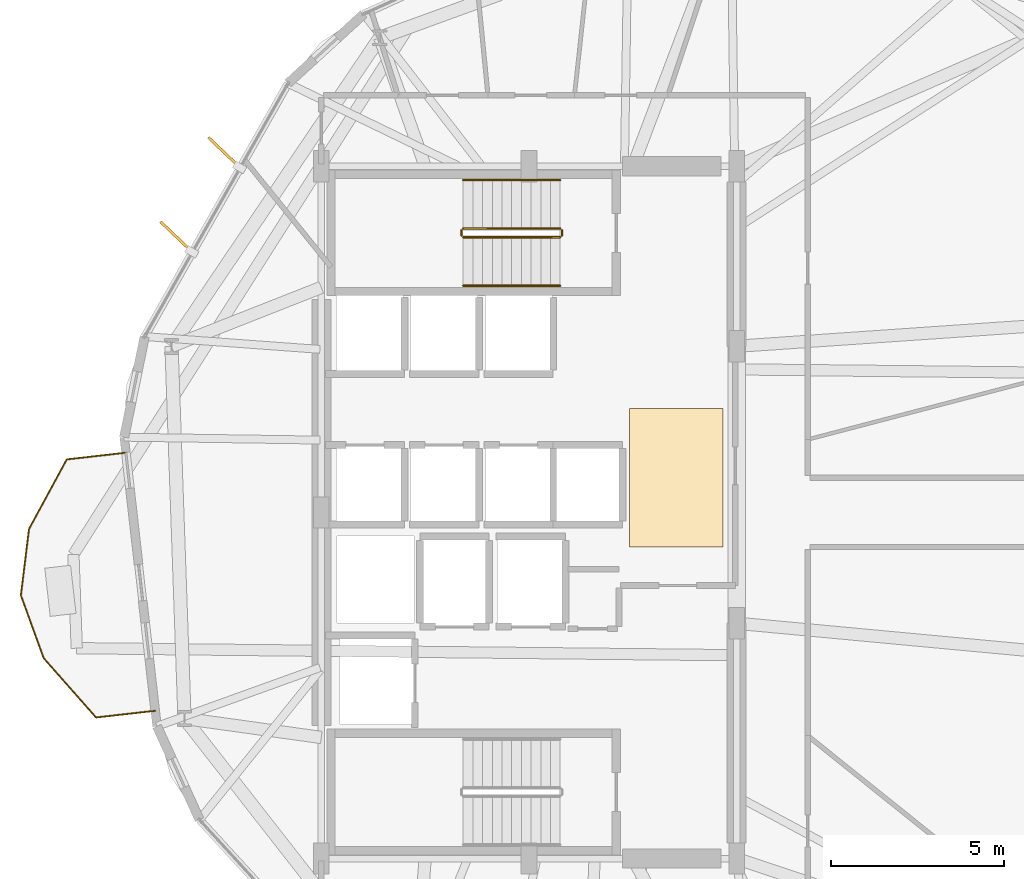
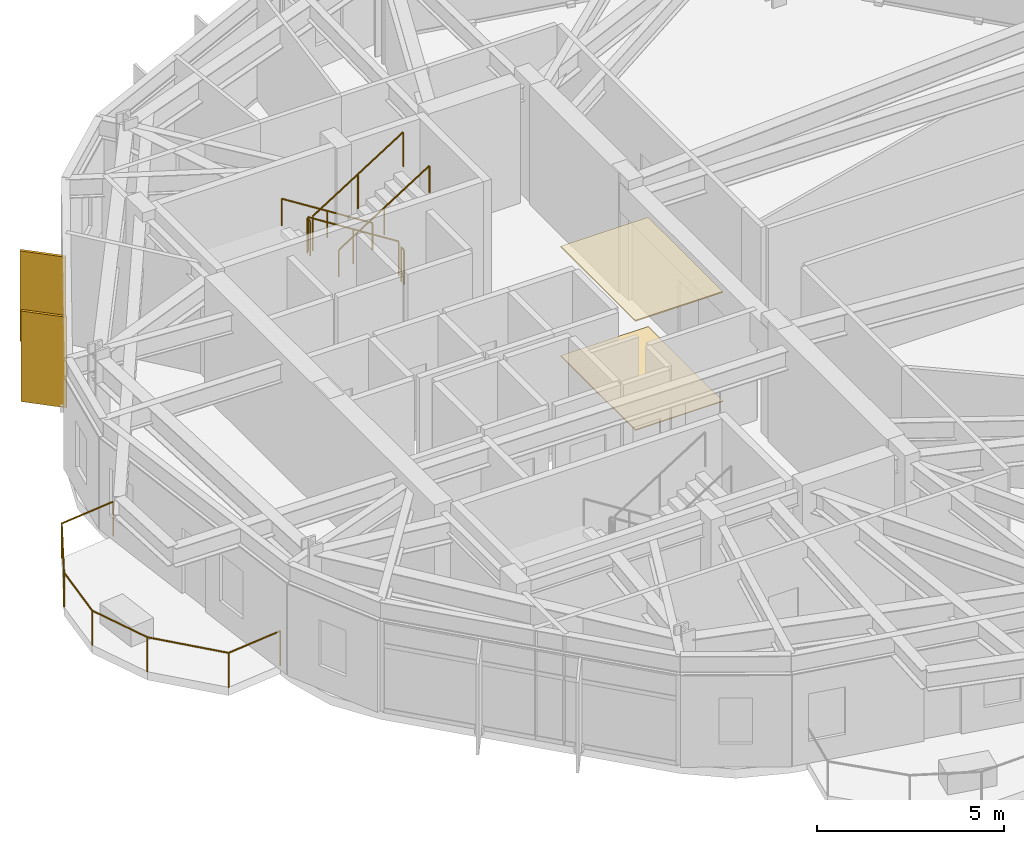
# One storey, part 22 of 23: 7 railings, 2 coverings, 2 shading devices.
"""IFC4 building model written with IfcOpenShell, lengths in metres."""

from ifc_helpers import new_model, si_unit, direction, frame, origin, origin_2d, place, context, subcontext, project, spatial, polyline, rectangle, circle, outline, extrude, material, layer, layer_set, type_object, element, save


model = new_model("IFC4")

# Units and contexts
model_context = context("Model", 3, precision=1e-05, world=origin(), true_north=direction((0.0, 1.0)))
body_context = subcontext(model_context, "Body", "Model", "MODEL_VIEW")
ifc_project = project(units=[si_unit("LENGTHUNIT", "METRE"), si_unit("AREAUNIT", "SQUARE_METRE"), si_unit("VOLUMEUNIT", "CUBIC_METRE"), si_unit("PLANEANGLEUNIT", "RADIAN"), si_unit("MASSUNIT", "GRAM", prefix="KILO")], contexts=[model_context])

# Site, building, storey
site_placement = place(None, origin())
site = spatial("IfcSite", under=ifc_project, at=site_placement, CompositionType="ELEMENT")
building_placement = place(site_placement, origin())
building = spatial("IfcBuilding", under=site, at=building_placement, Name="Soratama Intermodal Tower", CompositionType="ELEMENT")
storey_placement = place(building_placement, frame((0.0, 0.0, 122.5)))
storey = spatial("IfcBuildingStorey", under=building, at=storey_placement, Name="L29", CompositionType="ELEMENT", Elevation=122.5)

# Coverings
ifc_material_1 = material(Name="Perforated mineral acoustic ceiling", Category="concrete")
ifc_layer_1 = layer(ifc_material_1, 0.0400390625)
ifc_layer_set_1 = layer_set([ifc_layer_1], Name="Perforated mineral acoustic ceiling")
covering_type_1 = type_object("IfcCoveringType", Name="CV-CEIL-ACOUSTIC", PredefinedType="CEILING", material=ifc_layer_set_1)
covering_1_placement = place(storey_placement, frame((0.0, 0.0, 3.56005859375)))
element("IfcCovering", 1, at=covering_1_placement, inside=storey, type_object=covering_type_1, Name="L29 Acoustic Ceiling", PredefinedType="CEILING", context=body_context, shape_type="SweptSolid", body=[
    extrude(outline(polyline([(41.5, 24.0), (44.199951171875, 24.0), (44.199951171875, 28.0), (41.5, 28.0), (41.5, 24.0)])), origin(), (0.0, 0.0, 1.0), 0.0400390625),
])
ifc_material_2 = material(Name="Polished Andean stone terrazzo flooring", Category="masonry")
ifc_layer_2 = layer(ifc_material_2, 0.030029296875)
ifc_layer_set_2 = layer_set([ifc_layer_2], Name="Polished Andean stone terrazzo flooring")
covering_type_2 = type_object("IfcCoveringType", Name="CV-FLOR-TERRAZZO", PredefinedType="FLOORING", material=ifc_layer_set_2)
covering_2_placement = place(storey_placement, origin())
element("IfcCovering", 2, at=covering_2_placement, inside=storey, type_object=covering_type_2, Name="L29 Lobby Terrazzo Flooring", PredefinedType="FLOORING", context=body_context, shape_type="SweptSolid", body=[
    extrude(outline(polyline([(41.5, 24.0), (44.199951171875, 24.0), (44.199951171875, 28.0), (41.5, 28.0), (41.5, 24.0)])), origin(), (0.0, 0.0, 1.0), 0.030029296875),
])

# Railings
ifc_material_3 = material(Name="Laminated glass and stainless steel balustrade", Category="steel")
railing_type_1 = type_object("IfcRailingType", Name="RL-BAL-1150", PredefinedType="BALUSTRADE", material=ifc_material_3)
railing_1_placement = place(storey_placement, frame((27.802490234375, 19.269775390625, 0.0)))
element("IfcRailing", 3, at=railing_1_placement, inside=storey, type_object=railing_type_1, Name="L29 Balcony Balustrade 2", PredefinedType="BALUSTRADE", context=body_context, shape_type="SweptSolid", body=[
    extrude(circle(Radius=0.02392578125, at=origin_2d()), frame((0.0, 0.0, 1.1259765625), z_axis=(-0.993612491128, -0.112845990064, 0.0), x_axis=(0.112845990064, -0.993612491128, 0.0)), (0.0, 0.0, 1.0), 1.719970703125),
    extrude(circle(Radius=0.02392578125, at=origin_2d()), frame((-1.708984375, -0.194091796875, 1.1259765625), z_axis=(-0.661625164815, 0.749834742649, 0.0), x_axis=(-0.749834742649, -0.661625164815, 0.0)), (0.0, 0.0, 1.0), 2.288818359375),
    extrude(circle(Radius=0.02392578125, at=origin_2d()), frame((-3.223388671875, 1.522216796875, 1.1259765625), z_axis=(-0.341021599876, 0.940055460288, 0.0), x_axis=(-0.940055460288, -0.341021599876, 0.0)), (0.0, 0.0, 1.0), 1.929443359375),
    extrude(circle(Radius=0.02392578125, at=origin_2d()), frame((-3.88134765625, 3.3359375, 1.1259765625), z_axis=(0.121464869584, 0.99259573113, 0.0), x_axis=(-0.99259573113, 0.121464869584, 0.0)), (0.0, 0.0, 1.0), 1.9296875),
    extrude(circle(Radius=0.02392578125, at=origin_2d()), frame((-3.64697265625, 5.251220703125, 1.1259765625), z_axis=(0.47657863344, 0.879131847989, 0.0), x_axis=(-0.879131847989, 0.47657863344, 0.0)), (0.0, 0.0, 1.0), 2.288818359375),
    extrude(circle(Radius=0.02392578125, at=origin_2d()), frame((-2.55615234375, 7.263427734375, 1.1259765625), z_axis=(0.993612491128, 0.112845990064, 0.0), x_axis=(-0.112845990064, 0.993612491128, 0.0)), (0.0, 0.0, 1.0), 1.719970703125),
    extrude(circle(Radius=0.02099609375, at=origin_2d()), origin(), (0.0, 0.0, 1.0), 1.101806640625),
    extrude(circle(Radius=0.02099609375, at=origin_2d()), frame((-1.708984375, -0.194091796875, 0.0)), (0.0, 0.0, 1.0), 1.101806640625),
    extrude(circle(Radius=0.02099609375, at=origin_2d()), frame((-3.223388671875, 1.522216796875, 0.0)), (0.0, 0.0, 1.0), 1.101806640625),
    extrude(circle(Radius=0.02099609375, at=origin_2d()), frame((-3.88134765625, 3.3359375, 0.0)), (0.0, 0.0, 1.0), 1.101806640625),
    extrude(circle(Radius=0.02099609375, at=origin_2d()), frame((-3.64697265625, 5.251220703125, 0.0)), (0.0, 0.0, 1.0), 1.101806640625),
    extrude(circle(Radius=0.02099609375, at=origin_2d()), frame((-2.55615234375, 7.263427734375, 0.0)), (0.0, 0.0, 1.0), 1.101806640625),
    extrude(circle(Radius=0.02099609375, at=origin_2d()), frame((-0.84716796875, 7.45751953125, 0.0)), (0.0, 0.0, 1.0), 1.101806640625),
])
ifc_material_4 = material(Name="Painted steel stair guardrail", Category="steel")
railing_type_2 = type_object("IfcRailingType", Name="RL-STAIR-GUARD", PredefinedType="GUARDRAIL", material=ifc_material_4)
railing_2_placement = place(storey_placement, frame((39.5, 33.199951171875, 0.17724609375)))
element("IfcRailing", 4, at=railing_2_placement, inside=storey, type_object=railing_type_2, Name="L29 ST-2 stair guard 1", PredefinedType="GUARDRAIL", context=body_context, shape_type="SweptSolid", body=[
    extrude(circle(Radius=0.02392578125, at=origin_2d()), frame((0.0, 0.0, 1.1259765625), z_axis=(-0.844908973607, 0.0, 0.534910110503), x_axis=(0.0, -1.0, 0.0)), (0.0, 0.0, 1.0), 3.31396484375),
    extrude(circle(Radius=0.02099609375, at=origin_2d()), origin(), (0.0, 0.0, 1.0), 1.101806640625),
    extrude(circle(Radius=0.02099609375, at=origin_2d()), frame((-1.39990234375, 0.0, 0.88623046875)), (0.0, 0.0, 1.0), 1.101806640625),
    extrude(circle(Radius=0.02099609375, at=origin_2d()), frame((-2.800048828125, 0.0, 1.772705078125)), (0.0, 0.0, 1.0), 1.101806640625),
])
railing_3_placement = place(storey_placement, frame((36.64990234375, 33.14990234375, 1.949951171875)))
element("IfcRailing", 5, at=railing_3_placement, inside=storey, type_object=railing_type_2, Name="L29 ST-2 stair guard 2", PredefinedType="GUARDRAIL", context=body_context, shape_type="SweptSolid", body=[
    extrude(circle(Radius=0.02392578125, at=origin_2d()), frame((0.0, 0.0, 1.1259765625), z_axis=(0.0, -1.0, 0.0), x_axis=(1.0, 0.0, 0.0)), (0.0, 0.0, 1.0), 0.14990234375),
    extrude(circle(Radius=0.02099609375, at=origin_2d()), origin(), (0.0, 0.0, 1.0), 1.101806640625),
    extrude(circle(Radius=0.02099609375, at=origin_2d()), frame((0.0, -0.14990234375, 0.0)), (0.0, 0.0, 1.0), 1.101806640625),
])
railing_4_placement = place(storey_placement, frame((36.699951171875, 32.949951171875, 2.127197265625)))
element("IfcRailing", 6, at=railing_4_placement, inside=storey, type_object=railing_type_2, Name="L29 ST-2 stair guard 3", PredefinedType="GUARDRAIL", context=body_context, shape_type="SweptSolid", body=[
    extrude(circle(Radius=0.02392578125, at=origin_2d()), frame((0.0, 0.0, 1.1259765625), z_axis=(0.844908973607, 0.0, 0.534910110503), x_axis=(0.0, 1.0, 0.0)), (0.0, 0.0, 1.0), 3.31396484375),
    extrude(circle(Radius=0.02099609375, at=origin_2d()), origin(), (0.0, 0.0, 1.0), 1.101806640625),
    extrude(circle(Radius=0.02099609375, at=origin_2d()), frame((1.39990234375, 0.0, 0.88623046875)), (0.0, 0.0, 1.0), 1.101806640625),
    extrude(circle(Radius=0.02099609375, at=origin_2d()), frame((2.800048828125, 0.0, 1.772705078125)), (0.0, 0.0, 1.0), 1.101806640625),
])
railing_5_placement = place(storey_placement, frame((39.550048828125, 33.14990234375, 0.0)))
element("IfcRailing", 7, at=railing_5_placement, inside=storey, type_object=railing_type_2, Name="L29 ST-2 stair guard 4", PredefinedType="GUARDRAIL", context=body_context, shape_type="SweptSolid", body=[
    extrude(circle(Radius=0.02392578125, at=origin_2d()), frame((0.0, 0.0, 1.1259765625), z_axis=(0.0, -1.0, 0.0), x_axis=(1.0, 0.0, 0.0)), (0.0, 0.0, 1.0), 0.14990234375),
    extrude(circle(Radius=0.02099609375, at=origin_2d()), origin(), (0.0, 0.0, 1.0), 1.101806640625),
    extrude(circle(Radius=0.02099609375, at=origin_2d()), frame((0.0, -0.14990234375, 0.0)), (0.0, 0.0, 1.0), 1.101806640625),
])
ifc_material_5 = material(Name="Brushed stainless steel handrail", Category="steel")
railing_type_3 = type_object("IfcRailingType", Name="RL-STAIR-HAND", PredefinedType="HANDRAIL", material=ifc_material_5)
railing_6_placement = place(storey_placement, frame((39.5, 34.60009765625, 0.17724609375)))
element("IfcRailing", 8, at=railing_6_placement, inside=storey, type_object=railing_type_3, Name="L29 ST-2 stair handrail 1", PredefinedType="HANDRAIL", context=body_context, shape_type="SweptSolid", body=[
    extrude(circle(Radius=0.02392578125, at=origin_2d()), frame((0.0, 0.0, 0.8759765625), z_axis=(-0.844908973607, 0.0, 0.534910110503), x_axis=(0.0, -1.0, 0.0)), (0.0, 0.0, 1.0), 3.31396484375),
    extrude(circle(Radius=0.02099609375, at=origin_2d()), origin(), (0.0, 0.0, 1.0), 0.851806640625),
    extrude(circle(Radius=0.02099609375, at=origin_2d()), frame((-1.39990234375, 0.0, 0.88623046875)), (0.0, 0.0, 1.0), 0.851806640625),
    extrude(circle(Radius=0.02099609375, at=origin_2d()), frame((-2.800048828125, 0.0, 1.772705078125)), (0.0, 0.0, 1.0), 0.851806640625),
])
railing_7_placement = place(storey_placement, frame((36.699951171875, 31.550048828125, 2.127197265625)))
element("IfcRailing", 9, at=railing_7_placement, inside=storey, type_object=railing_type_3, Name="L29 ST-2 stair handrail 2", PredefinedType="HANDRAIL", context=body_context, shape_type="SweptSolid", body=[
    extrude(circle(Radius=0.02392578125, at=origin_2d()), frame((0.0, 0.0, 0.8759765625), z_axis=(0.844908973607, 0.0, 0.534910110503), x_axis=(0.0, 1.0, 0.0)), (0.0, 0.0, 1.0), 3.31396484375),
    extrude(circle(Radius=0.02099609375, at=origin_2d()), origin(), (0.0, 0.0, 1.0), 0.851806640625),
    extrude(circle(Radius=0.02099609375, at=origin_2d()), frame((1.39990234375, 0.0, 0.88623046875)), (0.0, 0.0, 1.0), 0.851806640625),
    extrude(circle(Radius=0.02099609375, at=origin_2d()), frame((2.800048828125, 0.0, 1.772705078125)), (0.0, 0.0, 1.0), 0.851806640625),
])

# Shading devices
ifc_material_6 = material(Name="Champagne anodised aluminium solar fin", Category="aluminium")
ifc_layer_3 = layer(ifc_material_6, 0.080078125)
ifc_layer_set_3 = layer_set([ifc_layer_3], Name="Champagne anodised aluminium solar fin")
shading_device_type = type_object("IfcShadingDeviceType", Name="SH-FIN-1250", PredefinedType="USERDEFINED", material=ifc_layer_set_3)
for number, where, z_axis, x_axis, name in (
    (10, (29.791015625, 35.40234375, 0.02001953125), (0.0, 0.0, 1.0), (-0.723810678237, 0.689998624687, 0.0), "L29 Solar Fin F04-1"),
    (11, (28.41064453125, 32.96435546875, 0.02001953125), (0.0, 0.0, 1.0), (-0.723810678237, 0.689998624687, 0.0), "L29 Solar Fin F04-2"),
):
    element("IfcShadingDevice", number, at=place(storey_placement, frame(where, z_axis=z_axis, x_axis=x_axis)), inside=storey, type_object=shading_device_type, Name=name, ObjectType="FIN", PredefinedType="USERDEFINED", context=body_context, shape_type="SweptSolid", body=[
        extrude(rectangle(XDim=1.25, YDim=0.080078125, at=origin_2d()), origin(), (0.0, 0.0, 1.0), 2.958984375),
    ])

save(model, "model.ifc")
